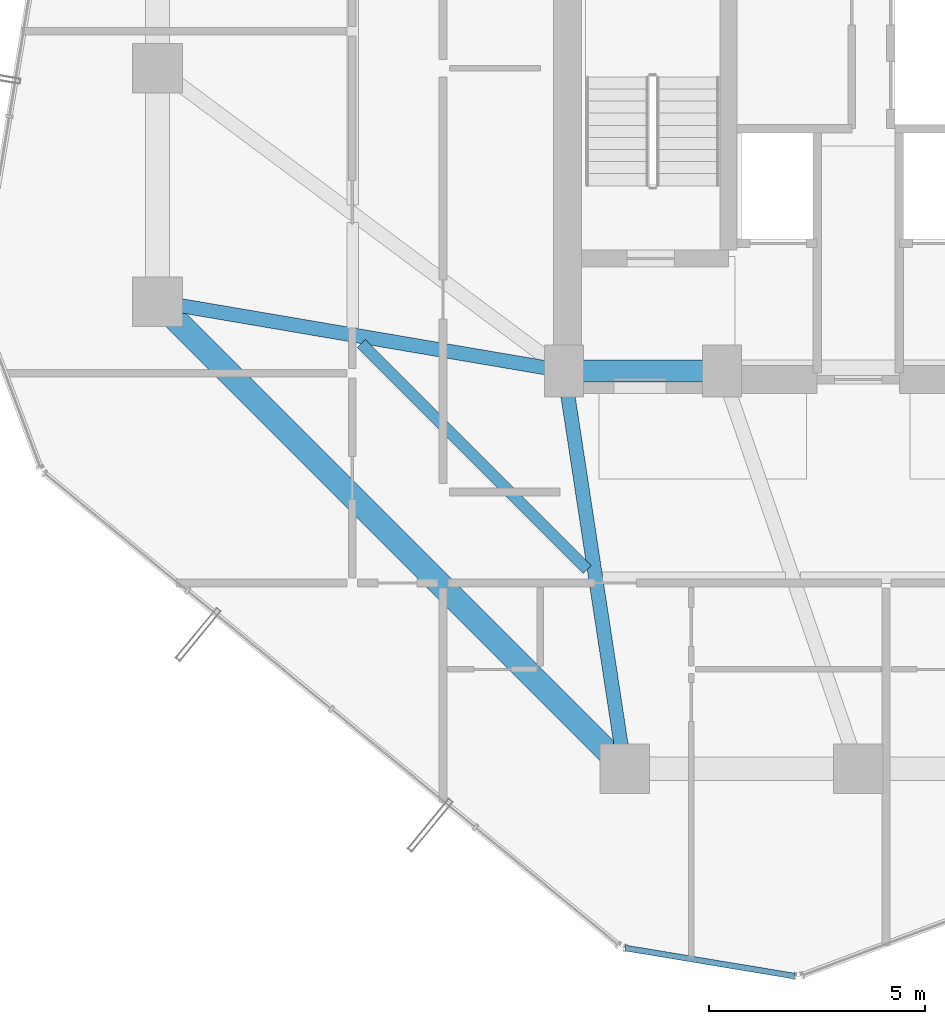
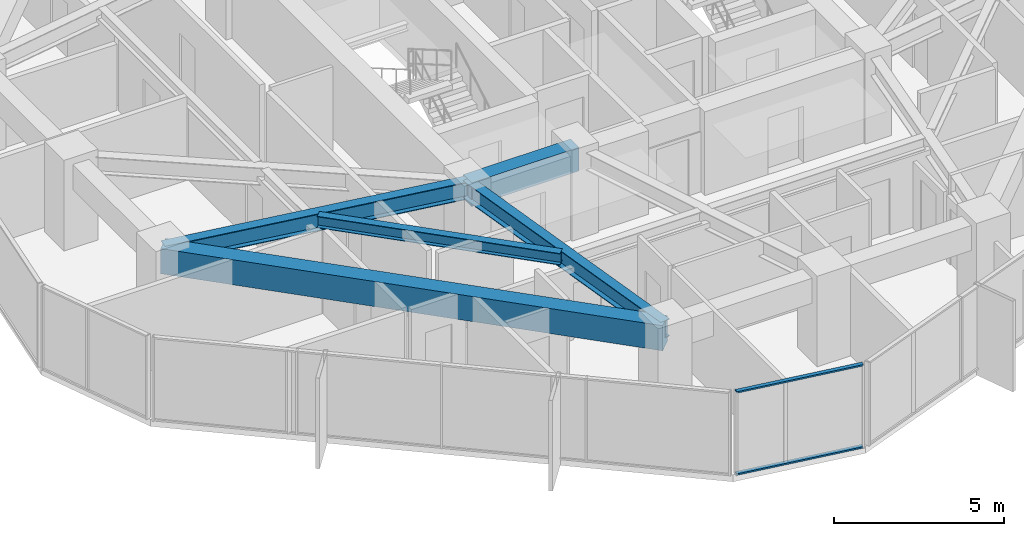
# One storey, part 5 of 30: 5 beams, 2 members, 1 element without a shape of its own.
"""IFC4 building model written with IfcOpenShell, lengths in metres."""

from ifc_helpers import new_model, si_unit, direction, frame, origin, origin_2d, place, context, subcontext, project, spatial, rectangle, hollow_rectangle, i_section, extrude, source, transform, mapped, material, layer, layer_set, material_profile, profile_set, type_object, element, aggregate, save


model = new_model("IFC4")

# Units and contexts
model_context = context("Model", 3, precision=1e-05, world=origin(), true_north=direction((0.0, 1.0)))
body_context = subcontext(model_context, "Body", "Model", "MODEL_VIEW")
ifc_project = project(units=[si_unit("LENGTHUNIT", "METRE"), si_unit("AREAUNIT", "SQUARE_METRE"), si_unit("VOLUMEUNIT", "CUBIC_METRE"), si_unit("PLANEANGLEUNIT", "RADIAN"), si_unit("MASSUNIT", "GRAM", prefix="KILO")], contexts=[model_context])

# Site, building, storey
site_placement = place(None, origin())
site = spatial("IfcSite", under=ifc_project, at=site_placement, CompositionType="ELEMENT")
building_placement = place(site_placement, origin())
building = spatial("IfcBuilding", under=site, at=building_placement, Name="Veraguas Prism Commons", CompositionType="ELEMENT")
storey_placement = place(building_placement, frame((0.0, 0.0, 95.949951171875)))
storey = spatial("IfcBuildingStorey", under=building, at=storey_placement, Name="L26", CompositionType="ELEMENT", Elevation=95.949951171875)

# Beams
ifc_material_1 = material(Name="Concrete C50/60", Category="concrete")
ifc_material_profile_1 = material_profile(ifc_material_1, rectangle(XDim=0.5, YDim=0.85009765625, at=origin_2d()), Name="RC500X850")
ifc_profile_set_1 = profile_set([ifc_material_profile_1], Name="Concrete C50/60")
beam_type_1 = type_object("IfcBeamType", Name="Core Coupling Beam RC 500x850", PredefinedType="BEAM", material=ifc_profile_set_1)
beam_1_placement = place(storey_placement, frame((17.199951171875, 17.0, 2.574951171875), z_axis=(1.0, 0.0, 0.0), x_axis=(0.0, 1.0, 0.0)))
element("IfcBeam", 1, at=beam_1_placement, inside=storey, type_object=beam_type_1, Name="Core Coupling Beam L26-CRS1", PredefinedType="BEAM", context=body_context, shape_type="SweptSolid", body=[
    extrude(rectangle(XDim=0.5, YDim=0.85009765625, at=origin_2d()), origin(), (0.0, 0.0, 1.0), 3.650146484375),
])
ifc_material_2 = material(Name="Steel ASTM A992 Grade 50", Category="steel")
ifc_material_profile_2 = material_profile(ifc_material_2, i_section(OverallWidth=0.260986328125, OverallDepth=0.419921875, WebThickness=0.01171875, FlangeThickness=0.019287109375, at=origin_2d()), Name="W410X114")
ifc_profile_set_2 = profile_set([ifc_material_profile_2], Name="Steel ASTM A992 Grade 50")
beam_type_2 = type_object("IfcBeamType", Name="Lower Floor Joist W410x114", PredefinedType="JOIST", material=ifc_profile_set_2)
beam_2_placement = place(storey_placement, frame((12.510009765625, 17.634033203125, 2.7900390625), z_axis=(0.707090260193, -0.707123301794, 0.0), x_axis=(0.707123301794, 0.707090260193, 0.0)))
element("IfcBeam", 2, at=beam_2_placement, inside=storey, type_object=beam_type_2, Name="Composite Floor Joist L26-JS09", PredefinedType="JOIST", context=body_context, shape_type="SweptSolid", body=[
    extrude(i_section(OverallWidth=0.260986328125, OverallDepth=0.419921875, WebThickness=0.01171875, FlangeThickness=0.019287109375, at=origin_2d()), origin(), (0.0, 0.0, 1.0), 7.388916015625),
])
ifc_material_profile_3 = material_profile(ifc_material_1, rectangle(XDim=0.550048828125, YDim=0.89990234375, at=origin_2d()), Name="RC550X900")
ifc_profile_set_3 = profile_set([ifc_material_profile_3], Name="Concrete C50/60")
beam_type_3 = type_object("IfcBeamType", Name="Perimeter Spandrel Lower RC 550x900", PredefinedType="SPANDREL", material=ifc_profile_set_3)
beam_3_placement = place(storey_placement, frame((7.800048828125, 18.60009765625, 2.550048828125), z_axis=(0.707106781187, -0.707106781187, 0.0), x_axis=(0.707106781187, 0.707106781187, 0.0)))
element("IfcBeam", 3, at=beam_3_placement, inside=storey, type_object=beam_type_3, Name="Perimeter Spandrel Beam L26-SP09", PredefinedType="SPANDREL", context=body_context, shape_type="SweptSolid", body=[
    extrude(rectangle(XDim=0.550048828125, YDim=0.89990234375, at=origin_2d()), origin(), (0.0, 0.0, 1.0), 15.273681640625),
])
ifc_material_profile_4 = material_profile(ifc_material_2, i_section(OverallWidth=0.327880859375, OverallDepth=0.6220703125, WebThickness=0.015380859375, FlangeThickness=0.0244140625, at=origin_2d()), Name="W610X195")
ifc_profile_set_4 = profile_set([ifc_material_profile_4], Name="Steel ASTM A992 Grade 50")
beam_type_4 = type_object("IfcBeamType", Name="Zone 2 Radial Girder W610x195", PredefinedType="BEAM", material=ifc_profile_set_4)
beam_4_placement = place(storey_placement, frame((7.800048828125, 18.60009765625, 2.68896484375), z_axis=(0.985819187151, -0.1678109956, 0.0), x_axis=(0.1678109956, 0.985819187151, 0.0)))
element("IfcBeam", 4, at=beam_4_placement, inside=storey, type_object=beam_type_4, Name="Radial Floor Girder L26-RD09", PredefinedType="BEAM", context=body_context, shape_type="SweptSolid", body=[
    extrude(i_section(OverallWidth=0.327880859375, OverallDepth=0.6220703125, WebThickness=0.015380859375, FlangeThickness=0.0244140625, at=origin_2d()), origin(), (0.0, 0.0, 1.0), 9.53515625),
])
beam_5_placement = place(storey_placement, frame((18.60009765625, 7.800048828125, 2.68896484375), z_axis=(-0.150458162136, 0.98861637729, 0.0), x_axis=(-0.98861637729, -0.150458162136, 0.0)))
element("IfcBeam", 5, at=beam_5_placement, inside=storey, type_object=beam_type_4, Name="Radial Floor Girder L26-RD10", PredefinedType="BEAM", context=body_context, shape_type="SweptSolid", body=[
    extrude(i_section(OverallWidth=0.327880859375, OverallDepth=0.6220703125, WebThickness=0.015380859375, FlangeThickness=0.0244140625, at=origin_2d()), origin(), (0.0, 0.0, 1.0), 9.305908203125),
])

# Curtain wall, members
ifc_material_3 = material(Name="Anodised aluminium EN AW-6063 T6", Category="aluminium")
ifc_layer = layer(ifc_material_3, 0.169921875, Name="Unitised Flush Curtain Wall Zone 2", Category="aluminium")
ifc_layer_set = layer_set([ifc_layer], Name="Anodised aluminium EN AW-6063 T6")
curtain_wall_type = type_object("IfcCurtainWallType", Name="Unitised Flush Curtain Wall Zone 2", PredefinedType="NOTDEFINED", material=ifc_layer_set)
curtain_wall_placement = place(storey_placement, origin())
curtain_wall = element("IfcCurtainWall", 6, at=curtain_wall_placement, inside=storey, type_object=curtain_wall_type, Name="Chamfer Curtain Wall L26-C5", PredefinedType="NOTDEFINED")
ifc_material_profile_5 = material_profile(ifc_material_3, hollow_rectangle(XDim=0.054931640625, YDim=0.135009765625, WallThickness=0.0029296875, at=origin_2d()), Name="AL55X135X3")
ifc_profile_set_5 = profile_set([ifc_material_profile_5], Name="Anodised aluminium EN AW-6063 T6")
member_type = type_object("IfcMemberType", Name="Curtain Wall Transom Standard AL 55x135x3", PredefinedType="USERDEFINED", material=ifc_profile_set_5)
shared_shape = source(origin(), body_context, "Body", "SweptSolid", [
    extrude(hollow_rectangle(XDim=0.054931640625, YDim=0.135009765625, WallThickness=0.0029296875, at=origin_2d()), origin(), (0.0, 0.0, 1.0), 3.97314453125),
])
member_1_placement = place(storey_placement, frame((18.611083984375, 3.656494140625, 0.027587890625), z_axis=(0.986521500318, -0.163631688281, 0.0), x_axis=(0.0, 0.0, 1.0)))
member_1 = element("IfcMember", 7, at=member_1_placement, type_object=member_type, Name="CW-Z2 Transom 1", ObjectType="TRANSOM", PredefinedType="USERDEFINED", context=body_context, shape_type="MappedRepresentation", body=[
    mapped(shared_shape, transform((0.0, 0.0, 0.0), scale=1.0)),
])
member_2_placement = place(storey_placement, frame((18.611083984375, 3.656494140625, 2.97265625), z_axis=(0.986521500318, -0.163631688281, 0.0), x_axis=(0.0, 0.0, 1.0)))
member_2 = element("IfcMember", 8, at=member_2_placement, type_object=member_type, Name="CW-Z2 Transom 2", ObjectType="TRANSOM", PredefinedType="USERDEFINED", context=body_context, shape_type="MappedRepresentation", body=[
    mapped(shared_shape, transform((0.0, 0.0, 0.0), scale=1.0)),
])
aggregate(curtain_wall, [member_1, member_2])

save(model, "model.ifc")
